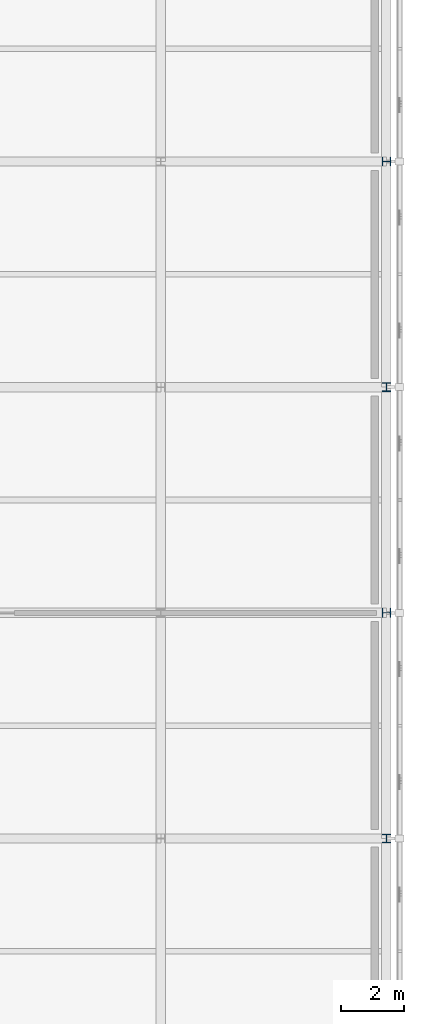
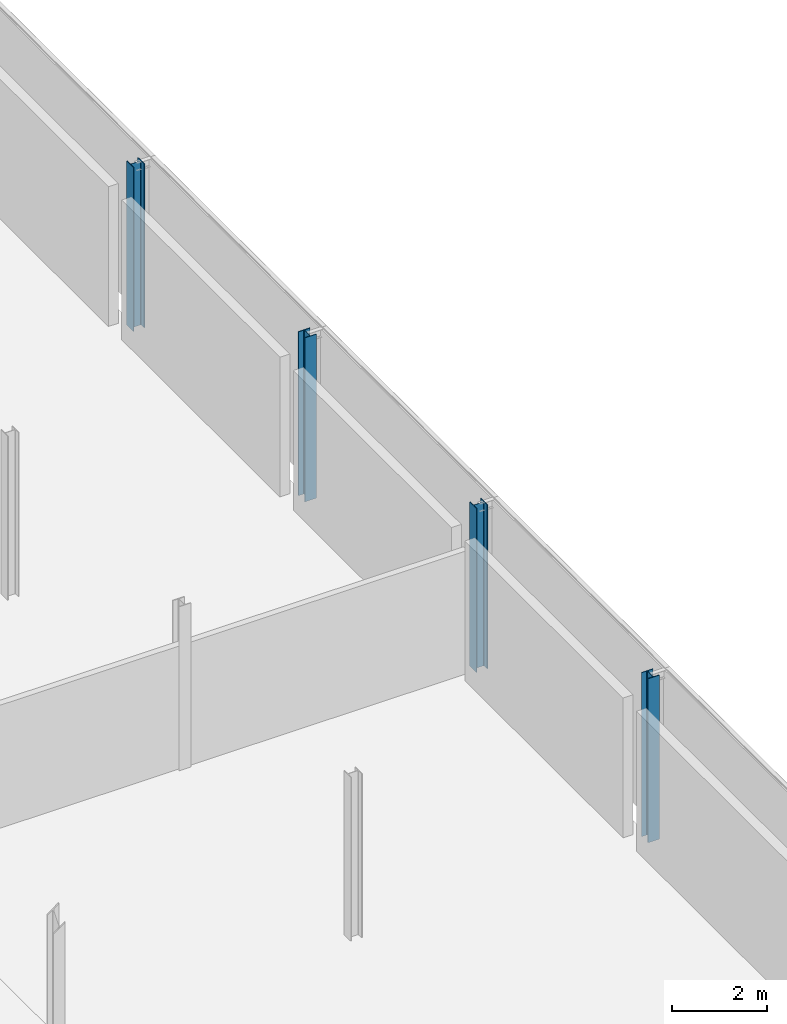
# One storey, part 23 of 146: 4 columns.
"""IFC4 building model written with IfcOpenShell, lengths in metres."""

import ifcopenshell
import ifcopenshell.guid

model = None  # the IFC model being written
_history = None  # IfcOwnerHistory: only IFC2X3 demands one
_inside = {}  # id of a spatial element -> (the spatial element, [elements in it])
_under = {}  # id of a project, library or spatial element -> (it, [spatial elements below it])
_declared = {}  # id of a project -> (the project, [libraries it declares])
_typed = {}  # id of a type object -> (the type object, [elements of that type])
_made_of = {}  # id of a material, layer set ... -> (it, [elements and type objects made of it])


def new_model(schema):
    """Start an empty IFC model of exactly this schema.

    Asked for "IFC4X3", IfcOpenShell would pick the latest addendum, in which some entities
    have other attributes; the version numbers below select the first issue.
    IFC2X3 requires an IfcOwnerHistory on every rooted entity: one is made here for all.
    """
    global model, _history
    if schema == "IFC4X3":
        model = ifcopenshell.file(schema_version=(4, 3, 0, 0))
    else:
        model = ifcopenshell.file(schema=schema)
    _inside.clear()
    _under.clear()
    _declared.clear()
    _typed.clear()
    _made_of.clear()
    _history = None
    if model.schema == "IFC2X3":
        org = make("IfcOrganization", Name="unknown")
        user = make(
            "IfcPersonAndOrganization",
            ThePerson=make("IfcPerson", FamilyName="unknown"),
            TheOrganization=org,
        )
        app = make(
            "IfcApplication",
            ApplicationDeveloper=org,
            Version="unknown",
            ApplicationFullName="unknown",
            ApplicationIdentifier="unknown",
        )
        _history = make(
            "IfcOwnerHistory",
            OwningUser=user,
            OwningApplication=app,
            ChangeAction="ADDED",
            CreationDate=0,
        )
    return model


def make(cls, **values):
    """One entity of the class cls with the attributes given. An attribute that is None is left unset."""
    return model.create_entity(
        cls, **{name: value for name, value in values.items() if value is not None}
    )


def rooted(cls, **values):
    """An entity with a GlobalId (a new one), such as an element, a storey or a relation."""
    return make(cls, GlobalId=ifcopenshell.guid.new(), OwnerHistory=_history, **values)


def si_unit(unit_type, name, prefix=None):
    """IfcSIUnit, for example si_unit("LENGTHUNIT", "METRE", prefix="MILLI")."""
    return make("IfcSIUnit", UnitType=unit_type, Prefix=prefix, Name=name)


def assignment(units):
    """IfcUnitAssignment: the units of a project."""
    return None if units is None else make("IfcUnitAssignment", Units=units)


def point(xyz):
    """IfcCartesianPoint."""
    return None if xyz is None else make("IfcCartesianPoint", Coordinates=xyz)


def direction(xyz):
    """IfcDirection."""
    return None if xyz is None else make("IfcDirection", DirectionRatios=xyz)


def frame(location, z_axis=None, x_axis=None):
    """IfcAxis2Placement3D, a coordinate frame: its origin and axes. An axis left out is left unset."""
    return make(
        "IfcAxis2Placement3D",
        Location=point(location),
        Axis=direction(z_axis),
        RefDirection=direction(x_axis),
    )


def frame_2d(location, x_axis=None):
    """IfcAxis2Placement2D, a coordinate frame in the plane: its origin and x axis."""
    return make(
        "IfcAxis2Placement2D", Location=point(location), RefDirection=direction(x_axis)
    )


def origin():
    """The frame at (0, 0, 0) with its axes left unset."""
    return frame((0.0, 0.0, 0.0))


def origin_2d():
    """The frame at (0, 0) in the plane with its x axis left unset."""
    return frame_2d((0.0, 0.0))


def place(relative_to, where):
    """IfcLocalPlacement: puts the frame where relative to a parent placement (None: the world)."""
    return make(
        "IfcLocalPlacement", PlacementRelTo=relative_to, RelativePlacement=where
    )


def context(
    kind, dimensions, precision=None, world=None, true_north=None, identifier=None
):
    """IfcGeometricRepresentationContext, for example the 3D "Model" context."""
    return make(
        "IfcGeometricRepresentationContext",
        ContextIdentifier=identifier,
        ContextType=kind,
        CoordinateSpaceDimension=dimensions,
        Precision=precision,
        WorldCoordinateSystem=world,
        TrueNorth=true_north,
    )


def subcontext(parent, identifier, kind, view, scale=None):
    """IfcGeometricRepresentationSubContext, for example "Body" below "Model"."""
    return make(
        "IfcGeometricRepresentationSubContext",
        ContextIdentifier=identifier,
        ContextType=kind,
        ParentContext=parent,
        TargetScale=scale,
        TargetView=view,
    )


def project(units=None, contexts=None):
    """IfcProject with its units and contexts."""
    return rooted(
        "IfcProject",
        Name="project",
        RepresentationContexts=contexts,
        UnitsInContext=assignment(units),
    )


def spatial(cls, under=None, at=None, **own):
    """A site, building, storey or space (cls), placed at a placement, below another one or the project."""
    s = rooted(cls, ObjectPlacement=at, **own)
    if under is not None:
        _under.setdefault(under.id(), (under, []))[1].append(s)
    return s


def profile(cls, at=None, kind="AREA", **sizes):
    """A parametric profile (cls). Its sizes go by their IFC names, for example OverallWidth=200.0."""
    return make(cls, ProfileType=kind, Position=at, **sizes)


def i_section(**sizes):
    """IfcIShapeProfileDef."""
    return profile("IfcIShapeProfileDef", **sizes)


def extrude(swept, where, along, depth):
    """IfcExtrudedAreaSolid: the profile swept, set in the frame where, extruded along a direction by depth."""
    return make(
        "IfcExtrudedAreaSolid",
        SweptArea=swept,
        Position=where,
        ExtrudedDirection=direction(along),
        Depth=depth,
    )


def shape(context_of_items, identifier, shape_type, items):
    """IfcShapeRepresentation: the items that make up one representation, for example the "Body"."""
    return make(
        "IfcShapeRepresentation",
        ContextOfItems=context_of_items,
        RepresentationIdentifier=identifier,
        RepresentationType=shape_type,
        Items=items,
    )


def material(Name=None, Category=None):
    """IfcMaterial."""
    return make("IfcMaterial", Name=Name, Category=Category)


def material_profile(
    of_material, cross_section, Name=None, Category=None, Priority=None
):
    """IfcMaterialProfile: a cross section and its material."""
    return make(
        "IfcMaterialProfile",
        Name=Name,
        Material=of_material,
        Profile=cross_section,
        Priority=Priority,
        Category=Category,
    )


def profile_set(profiles, Name=None, composite=None):
    """IfcMaterialProfileSet."""
    return make(
        "IfcMaterialProfileSet",
        Name=Name,
        MaterialProfiles=profiles,
        CompositeProfile=composite,
    )


def made_of(thing, what):
    """Note that an element or type object is made of a material, layer set ...; save() writes the relation."""
    if what is not None:
        _made_of.setdefault(what.id(), (what, []))[1].append(thing)
    return thing


def type_object(cls, material=None, **own):
    """A type object (cls), such as IfcWallType, which elements share."""
    return made_of(rooted(cls, **own), material)


def element(
    cls,
    number,
    at=None,
    inside=None,
    cuts=None,
    type_object=None,
    material=None,
    context=None,
    identifier="Body",
    shape_type=None,
    held_by="IfcProductDefinitionShape",
    body=None,
    shapes=None,
    **own,
):
    """One element of the class cls, such as IfcWall. Its Tag is "e" and its number.

    at: its placement. inside: the storey or other place that contains it. cuts: it is an
    opening in that element (IfcRelVoidsElement). A single representation is given by context,
    identifier, shape_type and body (its items); several are given by shapes. held_by: the class
    of the entity that holds the representations. save() writes the other relations.
    """
    e = rooted(cls, Tag="e%d" % number, ObjectPlacement=at, **own)
    if body is not None:
        shapes = [shape(context, identifier, shape_type, body)]
    if shapes is not None:
        e.Representation = make(held_by, Representations=shapes)
    if inside is not None:
        _inside.setdefault(inside.id(), (inside, []))[1].append(e)
    if cuts is not None:
        rooted(
            "IfcRelVoidsElement", RelatingBuildingElement=cuts, RelatedOpeningElement=e
        )
    if type_object is not None:
        _typed.setdefault(type_object.id(), (type_object, []))[1].append(e)
    return made_of(e, material)


def aggregate(whole, parts):
    """IfcRelAggregates: a whole, such as a stair, and the parts it consists of."""
    return rooted("IfcRelAggregates", RelatingObject=whole, RelatedObjects=parts)


def save(model, path):
    """Write the relations noted so far, then the file.

    IfcRelAggregates (storeys below a building ...), IfcRelContainedInSpatialStructure (elements
    in a storey), IfcRelDefinesByType, IfcRelAssociatesMaterial and IfcRelDeclares: one each for
    every whole, place, type object, material and project.
    """
    for whole, parts in _under.values():
        aggregate(whole, parts)
    for where, things in _inside.values():
        rooted(
            "IfcRelContainedInSpatialStructure",
            RelatedElements=things,
            RelatingStructure=where,
        )
    for kind, things in _typed.values():
        rooted("IfcRelDefinesByType", RelatedObjects=things, RelatingType=kind)
    for what, things in _made_of.values():
        rooted("IfcRelAssociatesMaterial", RelatedObjects=things, RelatingMaterial=what)
    for by, libraries in _declared.values():
        rooted("IfcRelDeclares", RelatingContext=by, RelatedDefinitions=libraries)
    model.write(path)


model = new_model("IFC4")

# Units and contexts
model_context = context("Model", 3, precision=1e-05, world=origin(), true_north=direction((0.0, 1.0)))
body_context = subcontext(model_context, "Body", "Model", "MODEL_VIEW")
ifc_project = project(units=[si_unit("LENGTHUNIT", "METRE"), si_unit("AREAUNIT", "SQUARE_METRE"), si_unit("VOLUMEUNIT", "CUBIC_METRE"), si_unit("PLANEANGLEUNIT", "RADIAN"), si_unit("MASSUNIT", "GRAM", prefix="KILO")], contexts=[model_context])

# Site, building, storey
site_placement = place(None, origin())
site = spatial("IfcSite", under=ifc_project, at=site_placement, CompositionType="ELEMENT")
building_placement = place(site_placement, origin())
building = spatial("IfcBuilding", under=site, at=building_placement, Name="Zlatovets Crest Museum", CompositionType="ELEMENT")
storey_placement = place(building_placement, frame((0.0, 0.0, 4.5)))
storey = spatial("IfcBuildingStorey", under=building, at=storey_placement, Name="L01", CompositionType="ELEMENT", Elevation=4.5)

# Columns
ifc_material = material(Name="Structural steel S355J2", Category="steel")
ifc_material_profile = material_profile(ifc_material, i_section(OverallWidth=0.280029296875, OverallDepth=0.280029296875, WebThickness=0.010498046875, FlangeThickness=0.01806640625, FilletRadius=0.02392578125, at=origin_2d()), Name="HEB 280")
ifc_profile_set = profile_set([ifc_material_profile], Name="Structural steel S355J2")
column_type = type_object("IfcColumnType", Name="Col_C-17", PredefinedType="COLUMN", material=ifc_profile_set)
for number, where, z_axis, x_axis, name in (
    (1, (165.60009765625, 64.800048828125, 0.0), (0.0, 0.0, 1.0), (1.0, 0.0, 0.0), "V5 L01 Column (165.6, 64.8)"),
    (2, (165.60009765625, 72.0, 0.0), (0.0, 0.0, 1.0), (0.0, 1.0, 0.0), "V5 L01 Column (165.6, 72.0)"),
    (3, (165.60009765625, 79.199951171875, 0.0), (0.0, 0.0, 1.0), (1.0, 0.0, 0.0), "V5 L01 Column (165.6, 79.2)"),
    (4, (165.60009765625, 86.39990234375, 0.0), (0.0, 0.0, 1.0), (0.0, 1.0, 0.0), "V5 L01 Column (165.6, 86.4)"),
):
    element("IfcColumn", number, at=place(storey_placement, frame(where, z_axis=z_axis, x_axis=x_axis)), inside=storey, type_object=column_type, Name=name, PredefinedType="COLUMN", context=body_context, shape_type="SweptSolid", body=[
        extrude(i_section(OverallWidth=0.280029296875, OverallDepth=0.280029296875, WebThickness=0.010498046875, FlangeThickness=0.01806640625, FilletRadius=0.02392578125, at=origin_2d()), origin(), (0.0, 0.0, 1.0), 4.199951171875),
    ])

save(model, "model.ifc")
